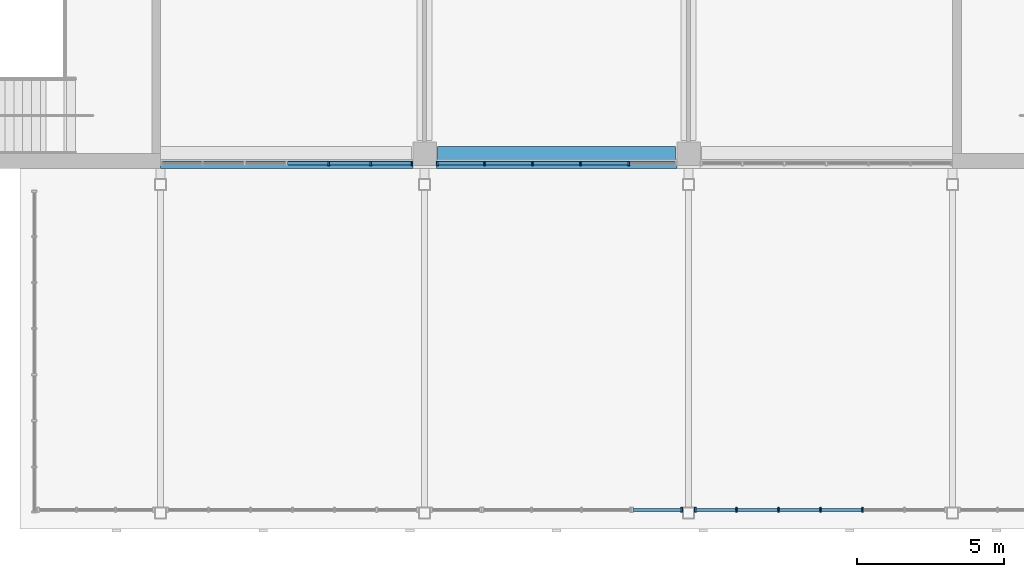
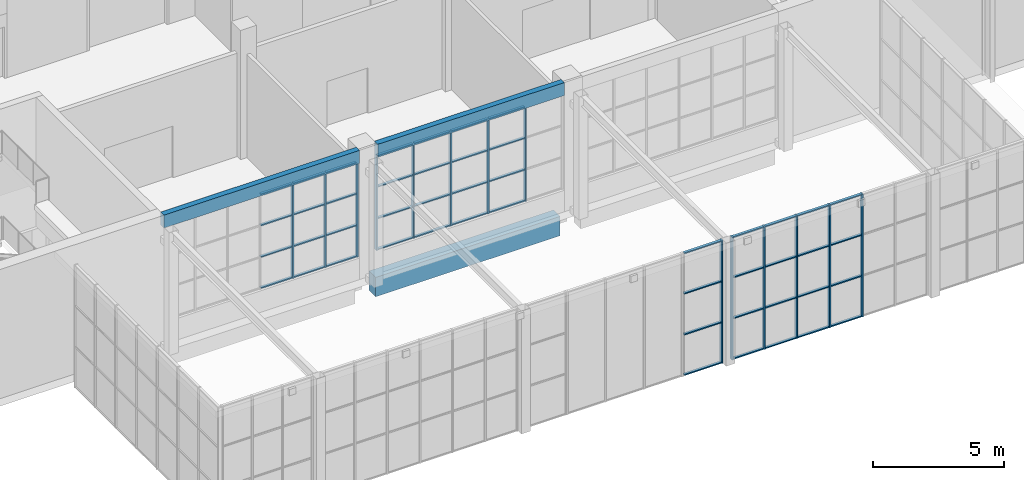
# One storey, part 10 of 89: 62 members, 3 beams, 4 elements without a shape of their own.
"""IFC4 building model written with IfcOpenShell, lengths in metres."""

from ifc_helpers import new_model, si_unit, direction, frame, origin, origin_2d, place, context, subcontext, project, spatial, rectangle, extrude, material, material_profile, profile_set, type_object, element, aggregate, save


model = new_model("IFC4")

# Units and contexts
model_context = context("Model", 3, precision=1e-05, world=origin(), true_north=direction((0.0, 1.0)))
body_context = subcontext(model_context, "Body", "Model", "MODEL_VIEW")
ifc_project = project(units=[si_unit("LENGTHUNIT", "METRE"), si_unit("AREAUNIT", "SQUARE_METRE"), si_unit("VOLUMEUNIT", "CUBIC_METRE"), si_unit("PLANEANGLEUNIT", "RADIAN"), si_unit("MASSUNIT", "GRAM", prefix="KILO")], contexts=[model_context])

# Site, building, storey
site_placement = place(None, origin())
site = spatial("IfcSite", under=ifc_project, at=site_placement, CompositionType="ELEMENT")
building_placement = place(site_placement, origin())
building = spatial("IfcBuilding", under=site, at=building_placement, Name="Silverbay Arena", CompositionType="ELEMENT")
storey_placement = place(building_placement, frame((0.0, 0.0, 22.0)))
storey = spatial("IfcBuildingStorey", under=building, at=storey_placement, Name="L03", CompositionType="ELEMENT", Elevation=22.0)

# Curtain wall, members
ifc_material_1 = material(Name="Aluminium framed curtain wall", Category="aluminium")
curtain_wall_type_1 = type_object("IfcCurtainWallType", Name="Curtain wall 8600 x 4400", PredefinedType="NOTDEFINED", material=ifc_material_1)
curtain_wall_1_placement = place(storey_placement, origin())
curtain_wall_1 = element("IfcCurtainWall", 1, at=curtain_wall_1_placement, inside=storey, type_object=curtain_wall_type_1, Name="South curtain wall L03 bay 8", PredefinedType="NOTDEFINED")
ifc_material_2 = material(Name="Aluminium", Category="aluminium")
ifc_material_profile_1 = material_profile(ifc_material_2, rectangle(XDim=0.159912109375, YDim=0.06005859375, at=origin_2d()), Name="Mullion 60 x 160")
ifc_profile_set_1 = profile_set([ifc_material_profile_1], Name="Aluminium")
member_type_1 = type_object("IfcMemberType", Name="Mullion 60 x 160", PredefinedType="MULLION", material=ifc_profile_set_1)
member_1_placement = place(storey_placement, frame((122.7333984375, 17.669921875, 1.0), z_axis=(0.0, 0.0, 1.0), x_axis=(0.0, 1.0, 0.0)))
member_1 = element("IfcMember", 2, at=member_1_placement, type_object=member_type_1, Name="CW12 mullion 5", PredefinedType="MULLION", context=body_context, shape_type="SweptSolid", body=[
    extrude(rectangle(XDim=0.159912109375, YDim=0.06005859375, at=origin_2d()), origin(), (0.0, 0.0, 1.0), 4.39990234375),
])
member_2_placement = place(storey_placement, frame((124.166748046875, 17.669921875, 1.0), z_axis=(0.0, 0.0, 1.0), x_axis=(0.0, 1.0, 0.0)))
member_2 = element("IfcMember", 3, at=member_2_placement, type_object=member_type_1, Name="CW12 mullion 6", PredefinedType="MULLION", context=body_context, shape_type="SweptSolid", body=[
    extrude(rectangle(XDim=0.159912109375, YDim=0.06005859375, at=origin_2d()), origin(), (0.0, 0.0, 1.0), 4.39990234375),
])
member_3_placement = place(storey_placement, frame((125.570068359375, 17.669921875, 1.0), z_axis=(0.0, 0.0, 1.0), x_axis=(0.0, 1.0, 0.0)))
member_3 = element("IfcMember", 4, at=member_3_placement, type_object=member_type_1, Name="CW12 mullion 7", PredefinedType="MULLION", context=body_context, shape_type="SweptSolid", body=[
    extrude(rectangle(XDim=0.159912109375, YDim=0.06005859375, at=origin_2d()), origin(), (0.0, 0.0, 1.0), 4.39990234375),
])

ifc_material_3 = material(Name="Aluminium framed curtain wall", Category="aluminium")
curtain_wall_type_2 = type_object("IfcCurtainWallType", Name="Curtain wall 8200 x 4400", PredefinedType="NOTDEFINED", material=ifc_material_3)
curtain_wall_2_placement = place(storey_placement, origin())
curtain_wall_2 = element("IfcCurtainWall", 5, at=curtain_wall_2_placement, inside=storey, type_object=curtain_wall_type_2, Name="South curtain wall L03 bay 9", PredefinedType="NOTDEFINED")
member_4_placement = place(storey_placement, frame((126.429931640625, 17.669921875, 1.0), z_axis=(0.0, 0.0, 1.0), x_axis=(0.0, 1.0, 0.0)))
member_4 = element("IfcMember", 6, at=member_4_placement, type_object=member_type_1, Name="CW13 mullion 1", PredefinedType="MULLION", context=body_context, shape_type="SweptSolid", body=[
    extrude(rectangle(XDim=0.159912109375, YDim=0.06005859375, at=origin_2d()), origin(), (0.0, 0.0, 1.0), 4.39990234375),
])
member_5_placement = place(storey_placement, frame((128.0400390625, 17.669921875, 1.0), z_axis=(0.0, 0.0, 1.0), x_axis=(0.0, 1.0, 0.0)))
member_5 = element("IfcMember", 7, at=member_5_placement, type_object=member_type_1, Name="CW13 mullion 2", PredefinedType="MULLION", context=body_context, shape_type="SweptSolid", body=[
    extrude(rectangle(XDim=0.159912109375, YDim=0.06005859375, at=origin_2d()), origin(), (0.0, 0.0, 1.0), 4.39990234375),
])
member_6_placement = place(storey_placement, frame((129.679931640625, 17.669921875, 1.0), z_axis=(0.0, 0.0, 1.0), x_axis=(0.0, 1.0, 0.0)))
member_6 = element("IfcMember", 8, at=member_6_placement, type_object=member_type_1, Name="CW13 mullion 3", PredefinedType="MULLION", context=body_context, shape_type="SweptSolid", body=[
    extrude(rectangle(XDim=0.159912109375, YDim=0.06005859375, at=origin_2d()), origin(), (0.0, 0.0, 1.0), 4.39990234375),
])
member_7_placement = place(storey_placement, frame((131.320068359375, 17.669921875, 1.0), z_axis=(0.0, 0.0, 1.0), x_axis=(0.0, 1.0, 0.0)))
member_7 = element("IfcMember", 9, at=member_7_placement, type_object=member_type_1, Name="CW13 mullion 4", PredefinedType="MULLION", context=body_context, shape_type="SweptSolid", body=[
    extrude(rectangle(XDim=0.159912109375, YDim=0.06005859375, at=origin_2d()), origin(), (0.0, 0.0, 1.0), 4.39990234375),
])
member_8_placement = place(storey_placement, frame((132.9599609375, 17.669921875, 1.0), z_axis=(0.0, 0.0, 1.0), x_axis=(0.0, 1.0, 0.0)))
member_8 = element("IfcMember", 10, at=member_8_placement, type_object=member_type_1, Name="CW13 mullion 5", PredefinedType="MULLION", context=body_context, shape_type="SweptSolid", body=[
    extrude(rectangle(XDim=0.159912109375, YDim=0.06005859375, at=origin_2d()), origin(), (0.0, 0.0, 1.0), 4.39990234375),
])

# Curtain wall, member
ifc_material_4 = material(Name="Aluminium framed curtain wall", Category="aluminium")
curtain_wall_type_3 = type_object("IfcCurtainWallType", Name="Curtain wall 1750 x 5700", PredefinedType="NOTDEFINED", material=ifc_material_4)
curtain_wall_3_placement = place(storey_placement, origin())
curtain_wall_3 = element("IfcCurtainWall", 11, at=curtain_wall_3_placement, inside=storey, type_object=curtain_wall_type_3, Name="South entrance hall S1 glazing F1b", PredefinedType="NOTDEFINED")
member_9_placement = place(storey_placement, frame((134.77001953125, 5.860107421875, 0.0), z_axis=(0.0, 0.0, 1.0), x_axis=(0.0, 1.0, 0.0)))
member_9 = element("IfcMember", 12, at=member_9_placement, type_object=member_type_1, Name="CW31 mullion 2", PredefinedType="MULLION", context=body_context, shape_type="SweptSolid", body=[
    extrude(rectangle(XDim=0.159912109375, YDim=0.06005859375, at=origin_2d()), origin(), (0.0, 0.0, 1.0), 5.699951171875),
])

# Curtain wall, members
ifc_material_5 = material(Name="Aluminium framed curtain wall", Category="aluminium")
curtain_wall_type_4 = type_object("IfcCurtainWallType", Name="Curtain wall 8600 x 5700", PredefinedType="NOTDEFINED", material=ifc_material_5)
curtain_wall_4_placement = place(storey_placement, origin())
curtain_wall_4 = element("IfcCurtainWall", 13, at=curtain_wall_4_placement, inside=storey, type_object=curtain_wall_type_4, Name="South entrance hall S1 glazing F2", PredefinedType="NOTDEFINED")
member_10_placement = place(storey_placement, frame((135.22998046875, 5.860107421875, 0.0), z_axis=(0.0, 0.0, 1.0), x_axis=(0.0, 1.0, 0.0)))
member_10 = element("IfcMember", 14, at=member_10_placement, type_object=member_type_1, Name="CW27 mullion 1", PredefinedType="MULLION", context=body_context, shape_type="SweptSolid", body=[
    extrude(rectangle(XDim=0.159912109375, YDim=0.06005859375, at=origin_2d()), origin(), (0.0, 0.0, 1.0), 5.699951171875),
])
member_11_placement = place(storey_placement, frame((136.63330078125, 5.860107421875, 0.0), z_axis=(0.0, 0.0, 1.0), x_axis=(0.0, 1.0, 0.0)))
member_11 = element("IfcMember", 15, at=member_11_placement, type_object=member_type_1, Name="CW27 mullion 2", PredefinedType="MULLION", context=body_context, shape_type="SweptSolid", body=[
    extrude(rectangle(XDim=0.159912109375, YDim=0.06005859375, at=origin_2d()), origin(), (0.0, 0.0, 1.0), 5.699951171875),
])
member_12_placement = place(storey_placement, frame((138.066650390625, 5.860107421875, 0.0), z_axis=(0.0, 0.0, 1.0), x_axis=(0.0, 1.0, 0.0)))
member_12 = element("IfcMember", 16, at=member_12_placement, type_object=member_type_1, Name="CW27 mullion 3", PredefinedType="MULLION", context=body_context, shape_type="SweptSolid", body=[
    extrude(rectangle(XDim=0.159912109375, YDim=0.06005859375, at=origin_2d()), origin(), (0.0, 0.0, 1.0), 5.699951171875),
])
member_13_placement = place(storey_placement, frame((139.5, 5.860107421875, 0.0), z_axis=(0.0, 0.0, 1.0), x_axis=(0.0, 1.0, 0.0)))
member_13 = element("IfcMember", 17, at=member_13_placement, type_object=member_type_1, Name="CW27 mullion 4", PredefinedType="MULLION", context=body_context, shape_type="SweptSolid", body=[
    extrude(rectangle(XDim=0.159912109375, YDim=0.06005859375, at=origin_2d()), origin(), (0.0, 0.0, 1.0), 5.699951171875),
])
member_14_placement = place(storey_placement, frame((140.933349609375, 5.860107421875, 0.0), z_axis=(0.0, 0.0, 1.0), x_axis=(0.0, 1.0, 0.0)))
member_14 = element("IfcMember", 18, at=member_14_placement, type_object=member_type_1, Name="CW27 mullion 5", PredefinedType="MULLION", context=body_context, shape_type="SweptSolid", body=[
    extrude(rectangle(XDim=0.159912109375, YDim=0.06005859375, at=origin_2d()), origin(), (0.0, 0.0, 1.0), 5.699951171875),
])

# Beams
ifc_material_6 = material(Name="Concrete Grade C45", Category="concrete")
ifc_material_profile_2 = material_profile(ifc_material_6, rectangle(XDim=0.5, YDim=0.89990234375, at=origin_2d()), Name="RC 500x900")
ifc_profile_set_2 = profile_set([ifc_material_profile_2], Name="Concrete Grade C45")
beam_type_1 = type_object("IfcBeamType", Name="RC beam 500x900", PredefinedType="BEAM", material=ifc_profile_set_2)
beam_1_placement = place(storey_placement, frame((126.449951171875, 18.0, -0.800048828125), z_axis=(1.0, 0.0, 0.0), x_axis=(0.0, 1.0, 0.0)))
element("IfcBeam", 19, at=beam_1_placement, inside=storey, type_object=beam_type_1, Name="Floor beam L03 003", PredefinedType="BEAM", context=body_context, shape_type="SweptSolid", body=[
    extrude(rectangle(XDim=0.5, YDim=0.89990234375, at=origin_2d()), origin(), (0.0, 0.0, 1.0), 8.10009765625),
])
ifc_material_7 = material(Name="Concrete Grade C45", Category="concrete")
ifc_material_profile_3 = material_profile(ifc_material_7, rectangle(XDim=0.25, YDim=0.60009765625, at=origin_2d()), Name="RC 250x600")
ifc_profile_set_3 = profile_set([ifc_material_profile_3], Name="Concrete Grade C45")
beam_type_2 = type_object("IfcBeamType", Name="RC facade beam 250x600", PredefinedType="SPANDREL", material=ifc_profile_set_3)
beam_2_placement = place(storey_placement, frame((117.0, 17.625, 5.699951171875), z_axis=(1.0, 0.0, 0.0), x_axis=(0.0, 1.0, 0.0)))
element("IfcBeam", 20, at=beam_2_placement, inside=storey, type_object=beam_type_2, Name="Facade beam L03 south", PredefinedType="SPANDREL", context=body_context, shape_type="SweptSolid", body=[
    extrude(rectangle(XDim=0.25, YDim=0.60009765625, at=origin_2d()), origin(), (0.0, 0.0, 1.0), 8.60009765625),
])
beam_3_placement = place(storey_placement, frame((126.39990234375, 17.625, 5.699951171875), z_axis=(1.0, 0.0, 0.0), x_axis=(0.0, 1.0, 0.0)))
element("IfcBeam", 21, at=beam_3_placement, inside=storey, type_object=beam_type_2, Name="Facade beam L03 south", PredefinedType="SPANDREL", context=body_context, shape_type="SweptSolid", body=[
    extrude(rectangle(XDim=0.25, YDim=0.60009765625, at=origin_2d()), origin(), (0.0, 0.0, 1.0), 8.2001953125),
])

# Member
ifc_material_8 = material(Name="Aluminium", Category="aluminium")
ifc_material_profile_4 = material_profile(ifc_material_8, rectangle(XDim=0.1201171875, YDim=0.050048828125, at=origin_2d()), Name="Transom 50 x 120")
ifc_profile_set_4 = profile_set([ifc_material_profile_4], Name="Aluminium")
member_type_2 = type_object("IfcMemberType", Name="Transom 50 x 120", PredefinedType="USERDEFINED", material=ifc_profile_set_4)
member_15_placement = place(storey_placement, frame((121.330078125, 17.669921875, 1.02490234375), z_axis=(1.0, 0.0, 0.0), x_axis=(0.0, 1.0, 0.0)))
member_15 = element("IfcMember", 22, at=member_15_placement, type_object=member_type_2, Name="CW12 transom 4.1", ObjectType="TRANSOM", PredefinedType="USERDEFINED", context=body_context, shape_type="SweptSolid", body=[
    extrude(rectangle(XDim=0.1201171875, YDim=0.050048828125, at=origin_2d()), origin(), (0.0, 0.0, 1.0), 1.373291015625),
])

member_16_placement = place(storey_placement, frame((121.330078125, 17.669921875, 2.466552734375), z_axis=(1.0, 0.0, 0.0), x_axis=(0.0, 1.0, 0.0)))
member_16 = element("IfcMember", 23, at=member_16_placement, type_object=member_type_2, Name="CW12 transom 4.2", ObjectType="TRANSOM", PredefinedType="USERDEFINED", context=body_context, shape_type="SweptSolid", body=[
    extrude(rectangle(XDim=0.1201171875, YDim=0.050048828125, at=origin_2d()), origin(), (0.0, 0.0, 1.0), 1.373291015625),
])

member_17_placement = place(storey_placement, frame((121.330078125, 17.669921875, 3.933349609375), z_axis=(1.0, 0.0, 0.0), x_axis=(0.0, 1.0, 0.0)))
member_17 = element("IfcMember", 24, at=member_17_placement, type_object=member_type_2, Name="CW12 transom 4.3", ObjectType="TRANSOM", PredefinedType="USERDEFINED", context=body_context, shape_type="SweptSolid", body=[
    extrude(rectangle(XDim=0.1201171875, YDim=0.050048828125, at=origin_2d()), origin(), (0.0, 0.0, 1.0), 1.373291015625),
])

member_18_placement = place(storey_placement, frame((121.330078125, 17.669921875, 5.375), z_axis=(1.0, 0.0, 0.0), x_axis=(0.0, 1.0, 0.0)))
member_18 = element("IfcMember", 25, at=member_18_placement, type_object=member_type_2, Name="CW12 transom 4.4", ObjectType="TRANSOM", PredefinedType="USERDEFINED", context=body_context, shape_type="SweptSolid", body=[
    extrude(rectangle(XDim=0.1201171875, YDim=0.050048828125, at=origin_2d()), origin(), (0.0, 0.0, 1.0), 1.373291015625),
])

member_19_placement = place(storey_placement, frame((122.763427734375, 17.669921875, 1.02490234375), z_axis=(1.0, 0.0, 0.0), x_axis=(0.0, 1.0, 0.0)))
member_19 = element("IfcMember", 26, at=member_19_placement, type_object=member_type_2, Name="CW12 transom 5.1", ObjectType="TRANSOM", PredefinedType="USERDEFINED", context=body_context, shape_type="SweptSolid", body=[
    extrude(rectangle(XDim=0.1201171875, YDim=0.050048828125, at=origin_2d()), origin(), (0.0, 0.0, 1.0), 1.373291015625),
])

member_20_placement = place(storey_placement, frame((122.763427734375, 17.669921875, 2.466552734375), z_axis=(1.0, 0.0, 0.0), x_axis=(0.0, 1.0, 0.0)))
member_20 = element("IfcMember", 27, at=member_20_placement, type_object=member_type_2, Name="CW12 transom 5.2", ObjectType="TRANSOM", PredefinedType="USERDEFINED", context=body_context, shape_type="SweptSolid", body=[
    extrude(rectangle(XDim=0.1201171875, YDim=0.050048828125, at=origin_2d()), origin(), (0.0, 0.0, 1.0), 1.373291015625),
])

member_21_placement = place(storey_placement, frame((122.763427734375, 17.669921875, 3.933349609375), z_axis=(1.0, 0.0, 0.0), x_axis=(0.0, 1.0, 0.0)))
member_21 = element("IfcMember", 28, at=member_21_placement, type_object=member_type_2, Name="CW12 transom 5.3", ObjectType="TRANSOM", PredefinedType="USERDEFINED", context=body_context, shape_type="SweptSolid", body=[
    extrude(rectangle(XDim=0.1201171875, YDim=0.050048828125, at=origin_2d()), origin(), (0.0, 0.0, 1.0), 1.373291015625),
])

member_22_placement = place(storey_placement, frame((122.763427734375, 17.669921875, 5.375), z_axis=(1.0, 0.0, 0.0), x_axis=(0.0, 1.0, 0.0)))
member_22 = element("IfcMember", 29, at=member_22_placement, type_object=member_type_2, Name="CW12 transom 5.4", ObjectType="TRANSOM", PredefinedType="USERDEFINED", context=body_context, shape_type="SweptSolid", body=[
    extrude(rectangle(XDim=0.1201171875, YDim=0.050048828125, at=origin_2d()), origin(), (0.0, 0.0, 1.0), 1.373291015625),
])

member_23_placement = place(storey_placement, frame((124.19677734375, 17.669921875, 1.02490234375), z_axis=(1.0, 0.0, 0.0), x_axis=(0.0, 1.0, 0.0)))
member_23 = element("IfcMember", 30, at=member_23_placement, type_object=member_type_2, Name="CW12 transom 6.1", ObjectType="TRANSOM", PredefinedType="USERDEFINED", context=body_context, shape_type="SweptSolid", body=[
    extrude(rectangle(XDim=0.1201171875, YDim=0.050048828125, at=origin_2d()), origin(), (0.0, 0.0, 1.0), 1.34326171875),
])

member_24_placement = place(storey_placement, frame((124.19677734375, 17.669921875, 2.466552734375), z_axis=(1.0, 0.0, 0.0), x_axis=(0.0, 1.0, 0.0)))
member_24 = element("IfcMember", 31, at=member_24_placement, type_object=member_type_2, Name="CW12 transom 6.2", ObjectType="TRANSOM", PredefinedType="USERDEFINED", context=body_context, shape_type="SweptSolid", body=[
    extrude(rectangle(XDim=0.1201171875, YDim=0.050048828125, at=origin_2d()), origin(), (0.0, 0.0, 1.0), 1.34326171875),
])

member_25_placement = place(storey_placement, frame((124.19677734375, 17.669921875, 3.933349609375), z_axis=(1.0, 0.0, 0.0), x_axis=(0.0, 1.0, 0.0)))
member_25 = element("IfcMember", 32, at=member_25_placement, type_object=member_type_2, Name="CW12 transom 6.3", ObjectType="TRANSOM", PredefinedType="USERDEFINED", context=body_context, shape_type="SweptSolid", body=[
    extrude(rectangle(XDim=0.1201171875, YDim=0.050048828125, at=origin_2d()), origin(), (0.0, 0.0, 1.0), 1.34326171875),
])

member_26_placement = place(storey_placement, frame((124.19677734375, 17.669921875, 5.375), z_axis=(1.0, 0.0, 0.0), x_axis=(0.0, 1.0, 0.0)))
member_26 = element("IfcMember", 33, at=member_26_placement, type_object=member_type_2, Name="CW12 transom 6.4", ObjectType="TRANSOM", PredefinedType="USERDEFINED", context=body_context, shape_type="SweptSolid", body=[
    extrude(rectangle(XDim=0.1201171875, YDim=0.050048828125, at=origin_2d()), origin(), (0.0, 0.0, 1.0), 1.34326171875),
])

aggregate(curtain_wall_1, [member_1, member_2, member_3, member_15, member_16, member_17, member_18, member_19, member_20, member_21, member_22, member_23, member_24, member_25, member_26])

member_27_placement = place(storey_placement, frame((126.4599609375, 17.669921875, 1.02490234375), z_axis=(1.0, 0.0, 0.0), x_axis=(0.0, 1.0, 0.0)))
member_27 = element("IfcMember", 34, at=member_27_placement, type_object=member_type_2, Name="CW13 transom 1.1", ObjectType="TRANSOM", PredefinedType="USERDEFINED", context=body_context, shape_type="SweptSolid", body=[
    extrude(rectangle(XDim=0.1201171875, YDim=0.050048828125, at=origin_2d()), origin(), (0.0, 0.0, 1.0), 1.550048828125),
])

member_28_placement = place(storey_placement, frame((126.4599609375, 17.669921875, 2.466552734375), z_axis=(1.0, 0.0, 0.0), x_axis=(0.0, 1.0, 0.0)))
member_28 = element("IfcMember", 35, at=member_28_placement, type_object=member_type_2, Name="CW13 transom 1.2", ObjectType="TRANSOM", PredefinedType="USERDEFINED", context=body_context, shape_type="SweptSolid", body=[
    extrude(rectangle(XDim=0.1201171875, YDim=0.050048828125, at=origin_2d()), origin(), (0.0, 0.0, 1.0), 1.550048828125),
])

member_29_placement = place(storey_placement, frame((126.4599609375, 17.669921875, 3.933349609375), z_axis=(1.0, 0.0, 0.0), x_axis=(0.0, 1.0, 0.0)))
member_29 = element("IfcMember", 36, at=member_29_placement, type_object=member_type_2, Name="CW13 transom 1.3", ObjectType="TRANSOM", PredefinedType="USERDEFINED", context=body_context, shape_type="SweptSolid", body=[
    extrude(rectangle(XDim=0.1201171875, YDim=0.050048828125, at=origin_2d()), origin(), (0.0, 0.0, 1.0), 1.550048828125),
])

member_30_placement = place(storey_placement, frame((126.4599609375, 17.669921875, 5.375), z_axis=(1.0, 0.0, 0.0), x_axis=(0.0, 1.0, 0.0)))
member_30 = element("IfcMember", 37, at=member_30_placement, type_object=member_type_2, Name="CW13 transom 1.4", ObjectType="TRANSOM", PredefinedType="USERDEFINED", context=body_context, shape_type="SweptSolid", body=[
    extrude(rectangle(XDim=0.1201171875, YDim=0.050048828125, at=origin_2d()), origin(), (0.0, 0.0, 1.0), 1.550048828125),
])

member_31_placement = place(storey_placement, frame((128.070068359375, 17.669921875, 1.02490234375), z_axis=(1.0, 0.0, 0.0), x_axis=(0.0, 1.0, 0.0)))
member_31 = element("IfcMember", 38, at=member_31_placement, type_object=member_type_2, Name="CW13 transom 2.1", ObjectType="TRANSOM", PredefinedType="USERDEFINED", context=body_context, shape_type="SweptSolid", body=[
    extrude(rectangle(XDim=0.1201171875, YDim=0.050048828125, at=origin_2d()), origin(), (0.0, 0.0, 1.0), 1.579833984375),
])

member_32_placement = place(storey_placement, frame((128.070068359375, 17.669921875, 2.466552734375), z_axis=(1.0, 0.0, 0.0), x_axis=(0.0, 1.0, 0.0)))
member_32 = element("IfcMember", 39, at=member_32_placement, type_object=member_type_2, Name="CW13 transom 2.2", ObjectType="TRANSOM", PredefinedType="USERDEFINED", context=body_context, shape_type="SweptSolid", body=[
    extrude(rectangle(XDim=0.1201171875, YDim=0.050048828125, at=origin_2d()), origin(), (0.0, 0.0, 1.0), 1.579833984375),
])

member_33_placement = place(storey_placement, frame((128.070068359375, 17.669921875, 3.933349609375), z_axis=(1.0, 0.0, 0.0), x_axis=(0.0, 1.0, 0.0)))
member_33 = element("IfcMember", 40, at=member_33_placement, type_object=member_type_2, Name="CW13 transom 2.3", ObjectType="TRANSOM", PredefinedType="USERDEFINED", context=body_context, shape_type="SweptSolid", body=[
    extrude(rectangle(XDim=0.1201171875, YDim=0.050048828125, at=origin_2d()), origin(), (0.0, 0.0, 1.0), 1.579833984375),
])

member_34_placement = place(storey_placement, frame((128.070068359375, 17.669921875, 5.375), z_axis=(1.0, 0.0, 0.0), x_axis=(0.0, 1.0, 0.0)))
member_34 = element("IfcMember", 41, at=member_34_placement, type_object=member_type_2, Name="CW13 transom 2.4", ObjectType="TRANSOM", PredefinedType="USERDEFINED", context=body_context, shape_type="SweptSolid", body=[
    extrude(rectangle(XDim=0.1201171875, YDim=0.050048828125, at=origin_2d()), origin(), (0.0, 0.0, 1.0), 1.579833984375),
])

member_35_placement = place(storey_placement, frame((129.7099609375, 17.669921875, 1.02490234375), z_axis=(1.0, 0.0, 0.0), x_axis=(0.0, 1.0, 0.0)))
member_35 = element("IfcMember", 42, at=member_35_placement, type_object=member_type_2, Name="CW13 transom 3.1", ObjectType="TRANSOM", PredefinedType="USERDEFINED", context=body_context, shape_type="SweptSolid", body=[
    extrude(rectangle(XDim=0.1201171875, YDim=0.050048828125, at=origin_2d()), origin(), (0.0, 0.0, 1.0), 1.580078125),
])

member_36_placement = place(storey_placement, frame((129.7099609375, 17.669921875, 2.466552734375), z_axis=(1.0, 0.0, 0.0), x_axis=(0.0, 1.0, 0.0)))
member_36 = element("IfcMember", 43, at=member_36_placement, type_object=member_type_2, Name="CW13 transom 3.2", ObjectType="TRANSOM", PredefinedType="USERDEFINED", context=body_context, shape_type="SweptSolid", body=[
    extrude(rectangle(XDim=0.1201171875, YDim=0.050048828125, at=origin_2d()), origin(), (0.0, 0.0, 1.0), 1.580078125),
])

member_37_placement = place(storey_placement, frame((129.7099609375, 17.669921875, 3.933349609375), z_axis=(1.0, 0.0, 0.0), x_axis=(0.0, 1.0, 0.0)))
member_37 = element("IfcMember", 44, at=member_37_placement, type_object=member_type_2, Name="CW13 transom 3.3", ObjectType="TRANSOM", PredefinedType="USERDEFINED", context=body_context, shape_type="SweptSolid", body=[
    extrude(rectangle(XDim=0.1201171875, YDim=0.050048828125, at=origin_2d()), origin(), (0.0, 0.0, 1.0), 1.580078125),
])

member_38_placement = place(storey_placement, frame((129.7099609375, 17.669921875, 5.375), z_axis=(1.0, 0.0, 0.0), x_axis=(0.0, 1.0, 0.0)))
member_38 = element("IfcMember", 45, at=member_38_placement, type_object=member_type_2, Name="CW13 transom 3.4", ObjectType="TRANSOM", PredefinedType="USERDEFINED", context=body_context, shape_type="SweptSolid", body=[
    extrude(rectangle(XDim=0.1201171875, YDim=0.050048828125, at=origin_2d()), origin(), (0.0, 0.0, 1.0), 1.580078125),
])

member_39_placement = place(storey_placement, frame((131.35009765625, 17.669921875, 1.02490234375), z_axis=(1.0, 0.0, 0.0), x_axis=(0.0, 1.0, 0.0)))
member_39 = element("IfcMember", 46, at=member_39_placement, type_object=member_type_2, Name="CW13 transom 4.1", ObjectType="TRANSOM", PredefinedType="USERDEFINED", context=body_context, shape_type="SweptSolid", body=[
    extrude(rectangle(XDim=0.1201171875, YDim=0.050048828125, at=origin_2d()), origin(), (0.0, 0.0, 1.0), 1.579833984375),
])

member_40_placement = place(storey_placement, frame((131.35009765625, 17.669921875, 2.466552734375), z_axis=(1.0, 0.0, 0.0), x_axis=(0.0, 1.0, 0.0)))
member_40 = element("IfcMember", 47, at=member_40_placement, type_object=member_type_2, Name="CW13 transom 4.2", ObjectType="TRANSOM", PredefinedType="USERDEFINED", context=body_context, shape_type="SweptSolid", body=[
    extrude(rectangle(XDim=0.1201171875, YDim=0.050048828125, at=origin_2d()), origin(), (0.0, 0.0, 1.0), 1.579833984375),
])

member_41_placement = place(storey_placement, frame((131.35009765625, 17.669921875, 3.933349609375), z_axis=(1.0, 0.0, 0.0), x_axis=(0.0, 1.0, 0.0)))
member_41 = element("IfcMember", 48, at=member_41_placement, type_object=member_type_2, Name="CW13 transom 4.3", ObjectType="TRANSOM", PredefinedType="USERDEFINED", context=body_context, shape_type="SweptSolid", body=[
    extrude(rectangle(XDim=0.1201171875, YDim=0.050048828125, at=origin_2d()), origin(), (0.0, 0.0, 1.0), 1.579833984375),
])

member_42_placement = place(storey_placement, frame((131.35009765625, 17.669921875, 5.375), z_axis=(1.0, 0.0, 0.0), x_axis=(0.0, 1.0, 0.0)))
member_42 = element("IfcMember", 49, at=member_42_placement, type_object=member_type_2, Name="CW13 transom 4.4", ObjectType="TRANSOM", PredefinedType="USERDEFINED", context=body_context, shape_type="SweptSolid", body=[
    extrude(rectangle(XDim=0.1201171875, YDim=0.050048828125, at=origin_2d()), origin(), (0.0, 0.0, 1.0), 1.579833984375),
])

aggregate(curtain_wall_2, [member_4, member_5, member_6, member_7, member_8, member_27, member_28, member_29, member_30, member_31, member_32, member_33, member_34, member_35, member_36, member_37, member_38, member_39, member_40, member_41, member_42])

member_43_placement = place(storey_placement, frame((133.110107421875, 5.860107421875, 0.02490234375), z_axis=(1.0, 0.0, 0.0), x_axis=(0.0, 1.0, 0.0)))
member_43 = element("IfcMember", 50, at=member_43_placement, type_object=member_type_2, Name="CW31 transom 1.1", ObjectType="TRANSOM", PredefinedType="USERDEFINED", context=body_context, shape_type="SweptSolid", body=[
    extrude(rectangle(XDim=0.1201171875, YDim=0.050048828125, at=origin_2d()), origin(), (0.0, 0.0, 1.0), 1.6298828125),
])

member_44_placement = place(storey_placement, frame((133.110107421875, 5.860107421875, 1.89990234375), z_axis=(1.0, 0.0, 0.0), x_axis=(0.0, 1.0, 0.0)))
member_44 = element("IfcMember", 51, at=member_44_placement, type_object=member_type_2, Name="CW31 transom 1.2", ObjectType="TRANSOM", PredefinedType="USERDEFINED", context=body_context, shape_type="SweptSolid", body=[
    extrude(rectangle(XDim=0.1201171875, YDim=0.050048828125, at=origin_2d()), origin(), (0.0, 0.0, 1.0), 1.6298828125),
])

member_45_placement = place(storey_placement, frame((133.110107421875, 5.860107421875, 3.800048828125), z_axis=(1.0, 0.0, 0.0), x_axis=(0.0, 1.0, 0.0)))
member_45 = element("IfcMember", 52, at=member_45_placement, type_object=member_type_2, Name="CW31 transom 1.3", ObjectType="TRANSOM", PredefinedType="USERDEFINED", context=body_context, shape_type="SweptSolid", body=[
    extrude(rectangle(XDim=0.1201171875, YDim=0.050048828125, at=origin_2d()), origin(), (0.0, 0.0, 1.0), 1.6298828125),
])

member_46_placement = place(storey_placement, frame((133.110107421875, 5.860107421875, 5.675048828125), z_axis=(1.0, 0.0, 0.0), x_axis=(0.0, 1.0, 0.0)))
member_46 = element("IfcMember", 53, at=member_46_placement, type_object=member_type_2, Name="CW31 transom 1.4", ObjectType="TRANSOM", PredefinedType="USERDEFINED", context=body_context, shape_type="SweptSolid", body=[
    extrude(rectangle(XDim=0.1201171875, YDim=0.050048828125, at=origin_2d()), origin(), (0.0, 0.0, 1.0), 1.6298828125),
])

aggregate(curtain_wall_3, [member_9, member_43, member_44, member_45, member_46])

member_47_placement = place(storey_placement, frame((135.260009765625, 5.860107421875, 0.02490234375), z_axis=(1.0, 0.0, 0.0), x_axis=(0.0, 1.0, 0.0)))
member_47 = element("IfcMember", 54, at=member_47_placement, type_object=member_type_2, Name="CW27 transom 1.1", ObjectType="TRANSOM", PredefinedType="USERDEFINED", context=body_context, shape_type="SweptSolid", body=[
    extrude(rectangle(XDim=0.1201171875, YDim=0.050048828125, at=origin_2d()), origin(), (0.0, 0.0, 1.0), 1.34326171875),
])

member_48_placement = place(storey_placement, frame((135.260009765625, 5.860107421875, 1.89990234375), z_axis=(1.0, 0.0, 0.0), x_axis=(0.0, 1.0, 0.0)))
member_48 = element("IfcMember", 55, at=member_48_placement, type_object=member_type_2, Name="CW27 transom 1.2", ObjectType="TRANSOM", PredefinedType="USERDEFINED", context=body_context, shape_type="SweptSolid", body=[
    extrude(rectangle(XDim=0.1201171875, YDim=0.050048828125, at=origin_2d()), origin(), (0.0, 0.0, 1.0), 1.34326171875),
])

member_49_placement = place(storey_placement, frame((135.260009765625, 5.860107421875, 3.800048828125), z_axis=(1.0, 0.0, 0.0), x_axis=(0.0, 1.0, 0.0)))
member_49 = element("IfcMember", 56, at=member_49_placement, type_object=member_type_2, Name="CW27 transom 1.3", ObjectType="TRANSOM", PredefinedType="USERDEFINED", context=body_context, shape_type="SweptSolid", body=[
    extrude(rectangle(XDim=0.1201171875, YDim=0.050048828125, at=origin_2d()), origin(), (0.0, 0.0, 1.0), 1.34326171875),
])

member_50_placement = place(storey_placement, frame((135.260009765625, 5.860107421875, 5.675048828125), z_axis=(1.0, 0.0, 0.0), x_axis=(0.0, 1.0, 0.0)))
member_50 = element("IfcMember", 57, at=member_50_placement, type_object=member_type_2, Name="CW27 transom 1.4", ObjectType="TRANSOM", PredefinedType="USERDEFINED", context=body_context, shape_type="SweptSolid", body=[
    extrude(rectangle(XDim=0.1201171875, YDim=0.050048828125, at=origin_2d()), origin(), (0.0, 0.0, 1.0), 1.34326171875),
])

member_51_placement = place(storey_placement, frame((136.663330078125, 5.860107421875, 0.02490234375), z_axis=(1.0, 0.0, 0.0), x_axis=(0.0, 1.0, 0.0)))
member_51 = element("IfcMember", 58, at=member_51_placement, type_object=member_type_2, Name="CW27 transom 2.1", ObjectType="TRANSOM", PredefinedType="USERDEFINED", context=body_context, shape_type="SweptSolid", body=[
    extrude(rectangle(XDim=0.1201171875, YDim=0.050048828125, at=origin_2d()), origin(), (0.0, 0.0, 1.0), 1.373291015625),
])

member_52_placement = place(storey_placement, frame((136.663330078125, 5.860107421875, 1.89990234375), z_axis=(1.0, 0.0, 0.0), x_axis=(0.0, 1.0, 0.0)))
member_52 = element("IfcMember", 59, at=member_52_placement, type_object=member_type_2, Name="CW27 transom 2.2", ObjectType="TRANSOM", PredefinedType="USERDEFINED", context=body_context, shape_type="SweptSolid", body=[
    extrude(rectangle(XDim=0.1201171875, YDim=0.050048828125, at=origin_2d()), origin(), (0.0, 0.0, 1.0), 1.373291015625),
])

member_53_placement = place(storey_placement, frame((136.663330078125, 5.860107421875, 3.800048828125), z_axis=(1.0, 0.0, 0.0), x_axis=(0.0, 1.0, 0.0)))
member_53 = element("IfcMember", 60, at=member_53_placement, type_object=member_type_2, Name="CW27 transom 2.3", ObjectType="TRANSOM", PredefinedType="USERDEFINED", context=body_context, shape_type="SweptSolid", body=[
    extrude(rectangle(XDim=0.1201171875, YDim=0.050048828125, at=origin_2d()), origin(), (0.0, 0.0, 1.0), 1.373291015625),
])

member_54_placement = place(storey_placement, frame((136.663330078125, 5.860107421875, 5.675048828125), z_axis=(1.0, 0.0, 0.0), x_axis=(0.0, 1.0, 0.0)))
member_54 = element("IfcMember", 61, at=member_54_placement, type_object=member_type_2, Name="CW27 transom 2.4", ObjectType="TRANSOM", PredefinedType="USERDEFINED", context=body_context, shape_type="SweptSolid", body=[
    extrude(rectangle(XDim=0.1201171875, YDim=0.050048828125, at=origin_2d()), origin(), (0.0, 0.0, 1.0), 1.373291015625),
])

member_55_placement = place(storey_placement, frame((138.0966796875, 5.860107421875, 0.02490234375), z_axis=(1.0, 0.0, 0.0), x_axis=(0.0, 1.0, 0.0)))
member_55 = element("IfcMember", 62, at=member_55_placement, type_object=member_type_2, Name="CW27 transom 3.1", ObjectType="TRANSOM", PredefinedType="USERDEFINED", context=body_context, shape_type="SweptSolid", body=[
    extrude(rectangle(XDim=0.1201171875, YDim=0.050048828125, at=origin_2d()), origin(), (0.0, 0.0, 1.0), 1.373291015625),
])

member_56_placement = place(storey_placement, frame((138.0966796875, 5.860107421875, 1.89990234375), z_axis=(1.0, 0.0, 0.0), x_axis=(0.0, 1.0, 0.0)))
member_56 = element("IfcMember", 63, at=member_56_placement, type_object=member_type_2, Name="CW27 transom 3.2", ObjectType="TRANSOM", PredefinedType="USERDEFINED", context=body_context, shape_type="SweptSolid", body=[
    extrude(rectangle(XDim=0.1201171875, YDim=0.050048828125, at=origin_2d()), origin(), (0.0, 0.0, 1.0), 1.373291015625),
])

member_57_placement = place(storey_placement, frame((138.0966796875, 5.860107421875, 3.800048828125), z_axis=(1.0, 0.0, 0.0), x_axis=(0.0, 1.0, 0.0)))
member_57 = element("IfcMember", 64, at=member_57_placement, type_object=member_type_2, Name="CW27 transom 3.3", ObjectType="TRANSOM", PredefinedType="USERDEFINED", context=body_context, shape_type="SweptSolid", body=[
    extrude(rectangle(XDim=0.1201171875, YDim=0.050048828125, at=origin_2d()), origin(), (0.0, 0.0, 1.0), 1.373291015625),
])

member_58_placement = place(storey_placement, frame((138.0966796875, 5.860107421875, 5.675048828125), z_axis=(1.0, 0.0, 0.0), x_axis=(0.0, 1.0, 0.0)))
member_58 = element("IfcMember", 65, at=member_58_placement, type_object=member_type_2, Name="CW27 transom 3.4", ObjectType="TRANSOM", PredefinedType="USERDEFINED", context=body_context, shape_type="SweptSolid", body=[
    extrude(rectangle(XDim=0.1201171875, YDim=0.050048828125, at=origin_2d()), origin(), (0.0, 0.0, 1.0), 1.373291015625),
])

member_59_placement = place(storey_placement, frame((139.530029296875, 5.860107421875, 0.02490234375), z_axis=(1.0, 0.0, 0.0), x_axis=(0.0, 1.0, 0.0)))
member_59 = element("IfcMember", 66, at=member_59_placement, type_object=member_type_2, Name="CW27 transom 4.1", ObjectType="TRANSOM", PredefinedType="USERDEFINED", context=body_context, shape_type="SweptSolid", body=[
    extrude(rectangle(XDim=0.1201171875, YDim=0.050048828125, at=origin_2d()), origin(), (0.0, 0.0, 1.0), 1.373291015625),
])

member_60_placement = place(storey_placement, frame((139.530029296875, 5.860107421875, 1.89990234375), z_axis=(1.0, 0.0, 0.0), x_axis=(0.0, 1.0, 0.0)))
member_60 = element("IfcMember", 67, at=member_60_placement, type_object=member_type_2, Name="CW27 transom 4.2", ObjectType="TRANSOM", PredefinedType="USERDEFINED", context=body_context, shape_type="SweptSolid", body=[
    extrude(rectangle(XDim=0.1201171875, YDim=0.050048828125, at=origin_2d()), origin(), (0.0, 0.0, 1.0), 1.373291015625),
])

member_61_placement = place(storey_placement, frame((139.530029296875, 5.860107421875, 3.800048828125), z_axis=(1.0, 0.0, 0.0), x_axis=(0.0, 1.0, 0.0)))
member_61 = element("IfcMember", 68, at=member_61_placement, type_object=member_type_2, Name="CW27 transom 4.3", ObjectType="TRANSOM", PredefinedType="USERDEFINED", context=body_context, shape_type="SweptSolid", body=[
    extrude(rectangle(XDim=0.1201171875, YDim=0.050048828125, at=origin_2d()), origin(), (0.0, 0.0, 1.0), 1.373291015625),
])

member_62_placement = place(storey_placement, frame((139.530029296875, 5.860107421875, 5.675048828125), z_axis=(1.0, 0.0, 0.0), x_axis=(0.0, 1.0, 0.0)))
member_62 = element("IfcMember", 69, at=member_62_placement, type_object=member_type_2, Name="CW27 transom 4.4", ObjectType="TRANSOM", PredefinedType="USERDEFINED", context=body_context, shape_type="SweptSolid", body=[
    extrude(rectangle(XDim=0.1201171875, YDim=0.050048828125, at=origin_2d()), origin(), (0.0, 0.0, 1.0), 1.373291015625),
])

aggregate(curtain_wall_4, [member_10, member_11, member_12, member_13, member_14, member_47, member_48, member_49, member_50, member_51, member_52, member_53, member_54, member_55, member_56, member_57, member_58, member_59, member_60, member_61, member_62])

save(model, "model.ifc")
